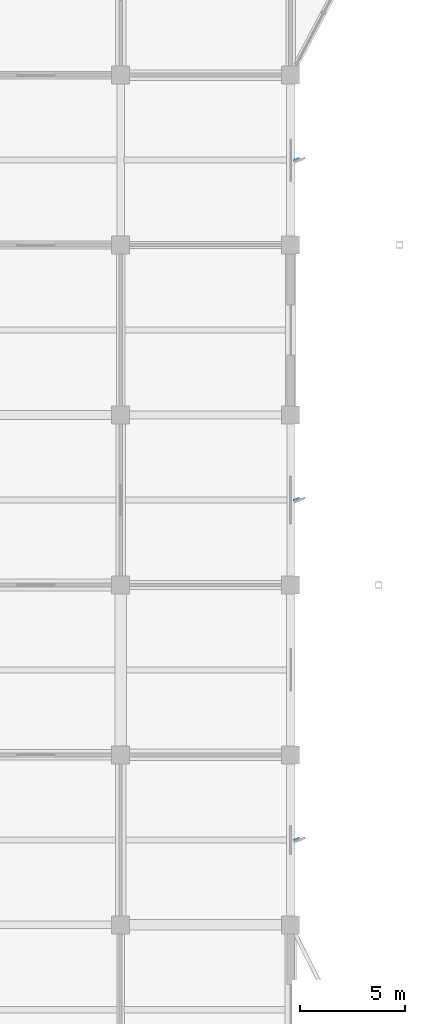
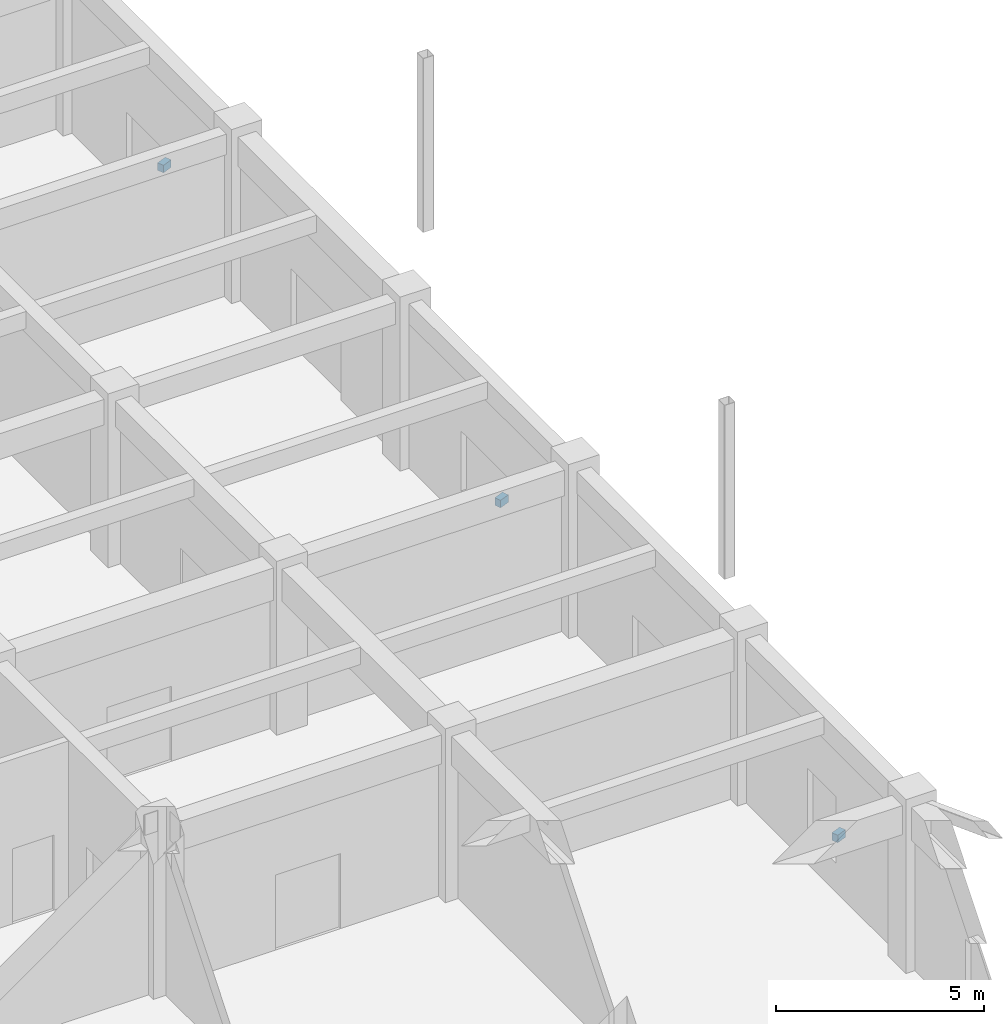
# One storey, part 83 of 99: 3 discrete accessories.
"""IFC4 building model written with IfcOpenShell, lengths in metres."""

from ifc_helpers import new_model, si_unit, direction, frame, origin, origin_2d, place, context, subcontext, project, spatial, rectangle, extrude, material, type_object, element, save


model = new_model("IFC4")

# Units and contexts
model_context = context("Model", 3, precision=1e-05, world=origin(), true_north=direction((0.0, 1.0)))
body_context = subcontext(model_context, "Body", "Model", "MODEL_VIEW")
ifc_project = project(units=[si_unit("LENGTHUNIT", "METRE"), si_unit("AREAUNIT", "SQUARE_METRE"), si_unit("VOLUMEUNIT", "CUBIC_METRE"), si_unit("PLANEANGLEUNIT", "RADIAN"), si_unit("MASSUNIT", "GRAM", prefix="KILO")], contexts=[model_context])

# Site, building, storey
site_placement = place(None, origin())
site = spatial("IfcSite", under=ifc_project, at=site_placement, CompositionType="ELEMENT")
building_placement = place(site_placement, origin())
building = spatial("IfcBuilding", under=site, at=building_placement, Name="Vaudrelin Polytechnic", CompositionType="ELEMENT")
storey_placement = place(building_placement, origin())
storey = spatial("IfcBuildingStorey", under=building, at=storey_placement, Name="L00", CompositionType="ELEMENT", Elevation=0.0)

# Discrete accessories
ifc_material = material(Name="Galvanised steel CSA G40.21 350W", Category="steel")
discrete_accessory_type = type_object("IfcDiscreteAccessoryType", Name="ENV-BRK-01", PredefinedType="BRACKET", material=ifc_material)
for number, where, z_axis, x_axis, name in (
    (1, (170.39501953125, 60.75, 0.990234375), (0.0, 0.0, 1.0), (0.927183854567, 0.374606593416, 0.0), "Solar fin support bracket BRK-013"),
    (2, (170.39501953125, 76.949951171875, 0.990234375), (0.0, 0.0, 1.0), (0.927183854567, 0.374606593416, 0.0), "Solar fin support bracket BRK-014"),
    (3, (170.39501953125, 93.14990234375, 0.990234375), (0.0, 0.0, 1.0), (0.927183854567, 0.374606593416, 0.0), "Solar fin support bracket BRK-015"),
):
    element("IfcDiscreteAccessory", number, at=place(storey_placement, frame(where, z_axis=z_axis, x_axis=x_axis)), inside=storey, type_object=discrete_accessory_type, Name=name, PredefinedType="BRACKET", context=body_context, shape_type="SweptSolid", body=[
        extrude(rectangle(XDim=0.300048828125, YDim=0.179931640625, at=origin_2d()), origin(), (0.0, 0.0, 1.0), 0.219970703125),
    ])

save(model, "model.ifc")
